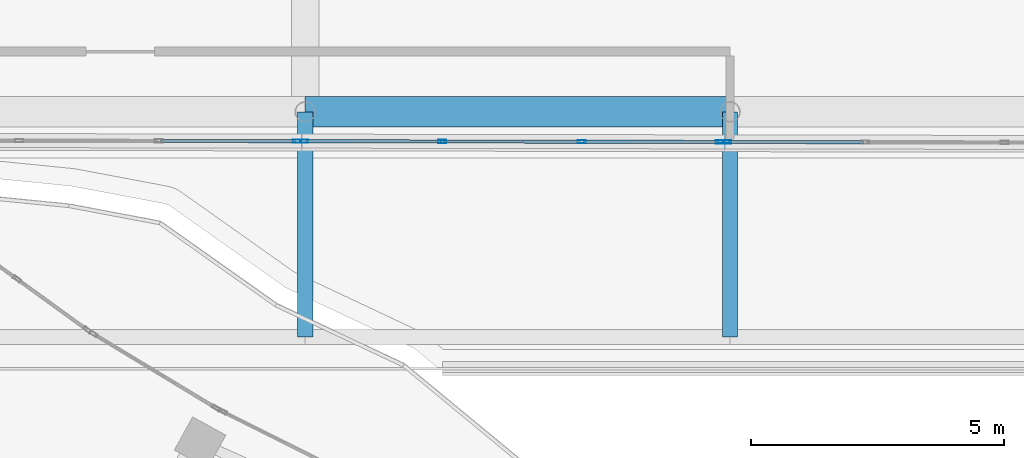
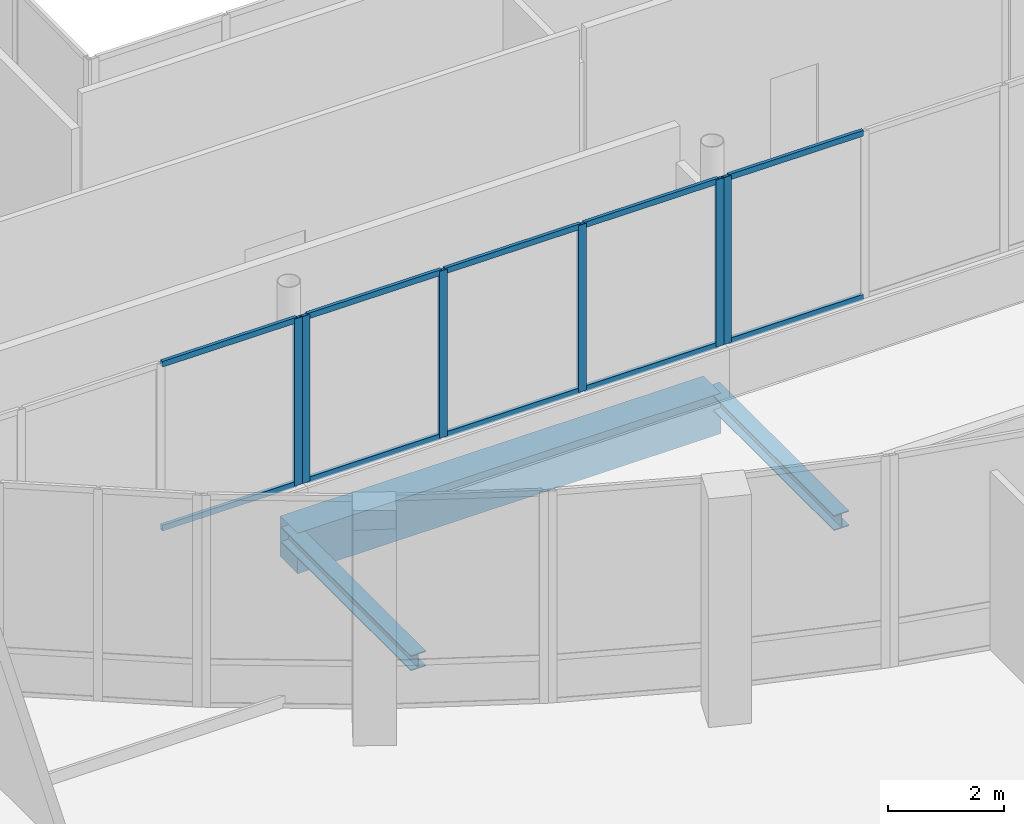
# One storey, part 33 of 168: 16 members, 3 beams, 3 elements without a shape of their own.
"""IFC4 building model written with IfcOpenShell, lengths in metres."""

from ifc_helpers import new_model, si_unit, direction, frame, origin, origin_2d, place, context, subcontext, project, spatial, rectangle, hollow_rectangle, i_section, extrude, material, material_profile, profile_set, type_object, element, aggregate, save


model = new_model("IFC4")

# Units and contexts
model_context = context("Model", 3, precision=1e-05, world=origin(), true_north=direction((0.0, 1.0)))
body_context = subcontext(model_context, "Body", "Model", "MODEL_VIEW")
ifc_project = project(units=[si_unit("LENGTHUNIT", "METRE"), si_unit("AREAUNIT", "SQUARE_METRE"), si_unit("VOLUMEUNIT", "CUBIC_METRE"), si_unit("PLANEANGLEUNIT", "RADIAN"), si_unit("MASSUNIT", "GRAM", prefix="KILO")], contexts=[model_context])

# Site, building, storey
site_placement = place(None, origin())
site = spatial("IfcSite", under=ifc_project, at=site_placement, CompositionType="ELEMENT")
building_placement = place(site_placement, origin())
building = spatial("IfcBuilding", under=site, at=building_placement, Name="Selatvlak General Hospital", CompositionType="ELEMENT")
storey_placement = place(building_placement, frame((0.0, 0.0, 5.39990234375)))
storey = spatial("IfcBuildingStorey", under=building, at=storey_placement, Name="L01", CompositionType="ELEMENT", Elevation=5.39990234375)

# Beams
ifc_material_1 = material(Name="Steel S355", Category="steel")
ifc_material_profile_1 = material_profile(ifc_material_1, i_section(OverallWidth=0.300048828125, OverallDepth=0.320068359375, WebThickness=0.011474609375, FlangeThickness=0.0205078125, at=origin_2d()), Name="HEB 320")
ifc_profile_set_1 = profile_set([ifc_material_profile_1], Name="Steel S355")
beam_type_1 = type_object("IfcBeamType", Name="BM-CAN", PredefinedType="BEAM", material=ifc_profile_set_1)
for number, where, z_axis, x_axis, name in (
    (1, (39.60009765625, 48.10009765625, -0.47998046875), (0.0, 1.0, 0.0), (-1.0, 0.0, 0.0), "Beam BMR-L01-2946"),
    (2, (48.0, 48.10009765625, -0.47998046875), (0.0, 1.0, 0.0), (-1.0, 0.0, 0.0), "Beam BMR-L01-2947"),
):
    element("IfcBeam", number, at=place(storey_placement, frame(where, z_axis=z_axis, x_axis=x_axis)), inside=storey, type_object=beam_type_1, Name=name, PredefinedType="BEAM", context=body_context, shape_type="SweptSolid", body=[
        extrude(i_section(OverallWidth=0.300048828125, OverallDepth=0.320068359375, WebThickness=0.011474609375, FlangeThickness=0.0205078125, at=origin_2d()), origin(), (0.0, 0.0, 1.0), 4.449951171875),
    ])
ifc_material_2 = material(Name="Concrete C40/50", Category="concrete")
ifc_material_profile_2 = material_profile(ifc_material_2, rectangle(XDim=0.60009765625, YDim=0.85009765625, at=origin_2d()), Name="RC-BM 600x850")
ifc_profile_set_2 = profile_set([ifc_material_profile_2], Name="Concrete C40/50")
beam_type_2 = type_object("IfcBeamType", Name="BM-G01", PredefinedType="BEAM", material=ifc_profile_set_2)
beam_placement = place(storey_placement, frame((39.60009765625, 52.550048828125, -0.744873046875), z_axis=(1.0, 0.0, 0.0), x_axis=(0.0, 1.0, 0.0)))
element("IfcBeam", 3, at=beam_placement, inside=storey, type_object=beam_type_2, Name="Beam BMR-L01-0387", PredefinedType="BEAM", context=body_context, shape_type="SweptSolid", body=[
    extrude(rectangle(XDim=0.60009765625, YDim=0.85009765625, at=origin_2d()), origin(), (0.0, 0.0, 1.0), 8.39990234375),
])

# Curtain wall, member
ifc_material_3 = material(Name="Solar-control Low-E double glazing", Category="glass")
curtain_wall_type_1 = type_object("IfcCurtainWallType", Name="CW-CW-02", PredefinedType="USERDEFINED", material=ifc_material_3)
curtain_wall_1_placement = place(storey_placement, origin())
curtain_wall_1 = element("IfcCurtainWall", 4, at=curtain_wall_1_placement, inside=storey, type_object=curtain_wall_type_1, Name="Glazed facade curtain wall CW-L01-0211", ObjectType="UNITISED CURTAIN WALL", PredefinedType="USERDEFINED")
ifc_material_4 = material(Name="Dark anodised aluminium mullion", Category="aluminium")
ifc_material_profile_3 = material_profile(ifc_material_4, hollow_rectangle(XDim=0.06494140625, YDim=0.159912109375, WallThickness=0.00390625, at=origin_2d()), Name="AL-MUL 65x160x4")
ifc_profile_set_3 = profile_set([ifc_material_profile_3], Name="Dark anodised aluminium mullion")
member_type_1 = type_object("IfcMemberType", Name="CWM-01", PredefinedType="MULLION", material=ifc_profile_set_3)
member_1_placement = place(storey_placement, frame((47.9423828125, 51.954833984375, 0.940185546875), z_axis=(0.0, 0.0, 1.0), x_axis=(-0.001811372463, -0.999998359464, 0.0)))
member_1 = element("IfcMember", 5, at=member_1_placement, type_object=member_type_1, Name="CW-02 mullion 4", PredefinedType="MULLION", context=body_context, shape_type="SweptSolid", body=[
    extrude(hollow_rectangle(XDim=0.06494140625, YDim=0.159912109375, WallThickness=0.00390625, at=origin_2d()), origin(), (0.0, 0.0, 1.0), 3.5048828125),
])

# Curtain wall, members
curtain_wall_type_2 = type_object("IfcCurtainWallType", Name="CW-CW-01", PredefinedType="USERDEFINED", material=ifc_material_3)
curtain_wall_2_placement = place(storey_placement, origin())
curtain_wall_2 = element("IfcCurtainWall", 6, at=curtain_wall_2_placement, inside=storey, type_object=curtain_wall_type_2, Name="Glazed facade curtain wall CW-L01-0212", ObjectType="UNITISED CURTAIN WALL", PredefinedType="USERDEFINED")
member_2_placement = place(storey_placement, frame((47.797607421875, 51.955078125, 0.940185546875), z_axis=(0.0, 0.0, 1.0), x_axis=(-0.001811153756, -0.99999835986, 0.0)))
member_2 = element("IfcMember", 7, at=member_2_placement, type_object=member_type_1, Name="CW-01 mullion 1", PredefinedType="MULLION", context=body_context, shape_type="SweptSolid", body=[
    extrude(hollow_rectangle(XDim=0.06494140625, YDim=0.159912109375, WallThickness=0.00390625, at=origin_2d()), origin(), (0.0, 0.0, 1.0), 3.5048828125),
])
member_3_placement = place(storey_placement, frame((45.0693359375, 51.9599609375, 0.940185546875), z_axis=(0.0, 0.0, 1.0), x_axis=(-0.001811153756, -0.99999835986, 0.0)))
member_3 = element("IfcMember", 8, at=member_3_placement, type_object=member_type_1, Name="CW-01 mullion 2", PredefinedType="MULLION", context=body_context, shape_type="SweptSolid", body=[
    extrude(hollow_rectangle(XDim=0.06494140625, YDim=0.159912109375, WallThickness=0.00390625, at=origin_2d()), origin(), (0.0, 0.0, 1.0), 3.5048828125),
])
member_4_placement = place(storey_placement, frame((42.30859375, 51.965087890625, 0.940185546875), z_axis=(0.0, 0.0, 1.0), x_axis=(-0.001811153756, -0.99999835986, 0.0)))
member_4 = element("IfcMember", 9, at=member_4_placement, type_object=member_type_1, Name="CW-01 mullion 3", PredefinedType="MULLION", context=body_context, shape_type="SweptSolid", body=[
    extrude(hollow_rectangle(XDim=0.06494140625, YDim=0.159912109375, WallThickness=0.00390625, at=origin_2d()), origin(), (0.0, 0.0, 1.0), 3.5048828125),
])
member_5_placement = place(storey_placement, frame((39.58056640625, 51.969970703125, 0.940185546875), z_axis=(0.0, 0.0, 1.0), x_axis=(-0.001811153756, -0.99999835986, 0.0)))
member_5 = element("IfcMember", 10, at=member_5_placement, type_object=member_type_1, Name="CW-01 mullion 4", PredefinedType="MULLION", context=body_context, shape_type="SweptSolid", body=[
    extrude(hollow_rectangle(XDim=0.06494140625, YDim=0.159912109375, WallThickness=0.00390625, at=origin_2d()), origin(), (0.0, 0.0, 1.0), 3.5048828125),
])

# Curtain wall, member
curtain_wall_3_placement = place(storey_placement, origin())
curtain_wall_3 = element("IfcCurtainWall", 11, at=curtain_wall_3_placement, inside=storey, type_object=curtain_wall_type_1, Name="Glazed facade curtain wall CW-L01-0213", ObjectType="UNITISED CURTAIN WALL", PredefinedType="USERDEFINED")
member_6_placement = place(storey_placement, frame((39.435546875, 51.969970703125, 0.940185546875), z_axis=(0.0, 0.0, 1.0), x_axis=(-0.001811153756, -0.99999835986, 0.0)))
member_6 = element("IfcMember", 12, at=member_6_placement, type_object=member_type_1, Name="CW-02 mullion 1", PredefinedType="MULLION", context=body_context, shape_type="SweptSolid", body=[
    extrude(hollow_rectangle(XDim=0.06494140625, YDim=0.159912109375, WallThickness=0.00390625, at=origin_2d()), origin(), (0.0, 0.0, 1.0), 3.5048828125),
])

# Member
ifc_material_profile_4 = material_profile(ifc_material_4, hollow_rectangle(XDim=0.06494140625, YDim=0.1201171875, WallThickness=0.00390625, at=origin_2d()), Name="AL-TRN 65x120x4")
ifc_profile_set_4 = profile_set([ifc_material_profile_4], Name="Dark anodised aluminium mullion")
member_type_2 = type_object("IfcMemberType", Name="CWT-01", PredefinedType="USERDEFINED", material=ifc_profile_set_4)
member_7_placement = place(storey_placement, frame((50.637939453125, 51.949951171875, 0.97265625), z_axis=(-0.999998318804, 0.001833681707, 0.0), x_axis=(-0.001833681707, -0.999998318804, 0.0)))
member_7 = element("IfcMember", 13, at=member_7_placement, type_object=member_type_2, Name="CW-02 transom 3.1", ObjectType="TRANSOM", PredefinedType="USERDEFINED", context=body_context, shape_type="SweptSolid", body=[
    extrude(hollow_rectangle(XDim=0.06494140625, YDim=0.1201171875, WallThickness=0.00390625, at=origin_2d()), origin(), (0.0, 0.0, 1.0), 2.662841796875),
])

member_8_placement = place(storey_placement, frame((50.637939453125, 51.949951171875, 4.41259765625), z_axis=(-0.999998318804, 0.001833681707, 0.0), x_axis=(-0.001833681707, -0.999998318804, 0.0)))
member_8 = element("IfcMember", 14, at=member_8_placement, type_object=member_type_2, Name="CW-02 transom 3.2", ObjectType="TRANSOM", PredefinedType="USERDEFINED", context=body_context, shape_type="SweptSolid", body=[
    extrude(hollow_rectangle(XDim=0.06494140625, YDim=0.1201171875, WallThickness=0.00390625, at=origin_2d()), origin(), (0.0, 0.0, 1.0), 2.662841796875),
])

aggregate(curtain_wall_1, [member_1, member_7, member_8])

member_9_placement = place(storey_placement, frame((47.764892578125, 51.955078125, 0.97265625), z_axis=(-0.999998319113, 0.001833513603, 0.0), x_axis=(-0.001833513603, -0.999998319113, 0.0)))
member_9 = element("IfcMember", 15, at=member_9_placement, type_object=member_type_2, Name="CW-01 transom 1.1", ObjectType="TRANSOM", PredefinedType="USERDEFINED", context=body_context, shape_type="SweptSolid", body=[
    extrude(hollow_rectangle(XDim=0.06494140625, YDim=0.1201171875, WallThickness=0.00390625, at=origin_2d()), origin(), (0.0, 0.0, 1.0), 2.6630859375),
])

member_10_placement = place(storey_placement, frame((47.764892578125, 51.955078125, 4.41259765625), z_axis=(-0.999998319113, 0.001833513603, 0.0), x_axis=(-0.001833513603, -0.999998319113, 0.0)))
member_10 = element("IfcMember", 16, at=member_10_placement, type_object=member_type_2, Name="CW-01 transom 1.2", ObjectType="TRANSOM", PredefinedType="USERDEFINED", context=body_context, shape_type="SweptSolid", body=[
    extrude(hollow_rectangle(XDim=0.06494140625, YDim=0.1201171875, WallThickness=0.00390625, at=origin_2d()), origin(), (0.0, 0.0, 1.0), 2.6630859375),
])

member_11_placement = place(storey_placement, frame((45.036865234375, 51.9599609375, 0.97265625), z_axis=(-0.999998359662, 0.001811263104, 0.0), x_axis=(-0.001811263104, -0.999998359662, 0.0)))
member_11 = element("IfcMember", 17, at=member_11_placement, type_object=member_type_2, Name="CW-01 transom 2.1", ObjectType="TRANSOM", PredefinedType="USERDEFINED", context=body_context, shape_type="SweptSolid", body=[
    extrude(hollow_rectangle(XDim=0.06494140625, YDim=0.1201171875, WallThickness=0.00390625, at=origin_2d()), origin(), (0.0, 0.0, 1.0), 2.69580078125),
])

member_12_placement = place(storey_placement, frame((45.036865234375, 51.9599609375, 4.41259765625), z_axis=(-0.999998359662, 0.001811263104, 0.0), x_axis=(-0.001811263104, -0.999998359662, 0.0)))
member_12 = element("IfcMember", 18, at=member_12_placement, type_object=member_type_2, Name="CW-01 transom 2.2", ObjectType="TRANSOM", PredefinedType="USERDEFINED", context=body_context, shape_type="SweptSolid", body=[
    extrude(hollow_rectangle(XDim=0.06494140625, YDim=0.1201171875, WallThickness=0.00390625, at=origin_2d()), origin(), (0.0, 0.0, 1.0), 2.69580078125),
])

member_13_placement = place(storey_placement, frame((42.276123046875, 51.965087890625, 0.97265625), z_axis=(-0.999998319113, 0.001833513603, 0.0), x_axis=(-0.001833513603, -0.999998319113, 0.0)))
member_13 = element("IfcMember", 19, at=member_13_placement, type_object=member_type_2, Name="CW-01 transom 3.1", ObjectType="TRANSOM", PredefinedType="USERDEFINED", context=body_context, shape_type="SweptSolid", body=[
    extrude(hollow_rectangle(XDim=0.06494140625, YDim=0.1201171875, WallThickness=0.00390625, at=origin_2d()), origin(), (0.0, 0.0, 1.0), 2.6630859375),
])

member_14_placement = place(storey_placement, frame((42.276123046875, 51.965087890625, 4.41259765625), z_axis=(-0.999998319113, 0.001833513603, 0.0), x_axis=(-0.001833513603, -0.999998319113, 0.0)))
member_14 = element("IfcMember", 20, at=member_14_placement, type_object=member_type_2, Name="CW-01 transom 3.2", ObjectType="TRANSOM", PredefinedType="USERDEFINED", context=body_context, shape_type="SweptSolid", body=[
    extrude(hollow_rectangle(XDim=0.06494140625, YDim=0.1201171875, WallThickness=0.00390625, at=origin_2d()), origin(), (0.0, 0.0, 1.0), 2.6630859375),
])

aggregate(curtain_wall_2, [member_2, member_3, member_4, member_5, member_9, member_10, member_11, member_12, member_13, member_14])

member_15_placement = place(storey_placement, frame((39.403076171875, 51.97021484375, 0.97265625), z_axis=(-0.999998483277, 0.001741678539, 0.0), x_axis=(-0.001741678539, -0.999998483277, 0.0)))
member_15 = element("IfcMember", 21, at=member_15_placement, type_object=member_type_2, Name="CW-02 transom 1.1", ObjectType="TRANSOM", PredefinedType="USERDEFINED", context=body_context, shape_type="SweptSolid", body=[
    extrude(hollow_rectangle(XDim=0.06494140625, YDim=0.1201171875, WallThickness=0.00390625, at=origin_2d()), origin(), (0.0, 0.0, 1.0), 2.663330078125),
])

member_16_placement = place(storey_placement, frame((39.403076171875, 51.97021484375, 4.41259765625), z_axis=(-0.999998483277, 0.001741678539, 0.0), x_axis=(-0.001741678539, -0.999998483277, 0.0)))
member_16 = element("IfcMember", 22, at=member_16_placement, type_object=member_type_2, Name="CW-02 transom 1.2", ObjectType="TRANSOM", PredefinedType="USERDEFINED", context=body_context, shape_type="SweptSolid", body=[
    extrude(hollow_rectangle(XDim=0.06494140625, YDim=0.1201171875, WallThickness=0.00390625, at=origin_2d()), origin(), (0.0, 0.0, 1.0), 2.663330078125),
])

aggregate(curtain_wall_3, [member_6, member_15, member_16])

save(model, "model.ifc")
